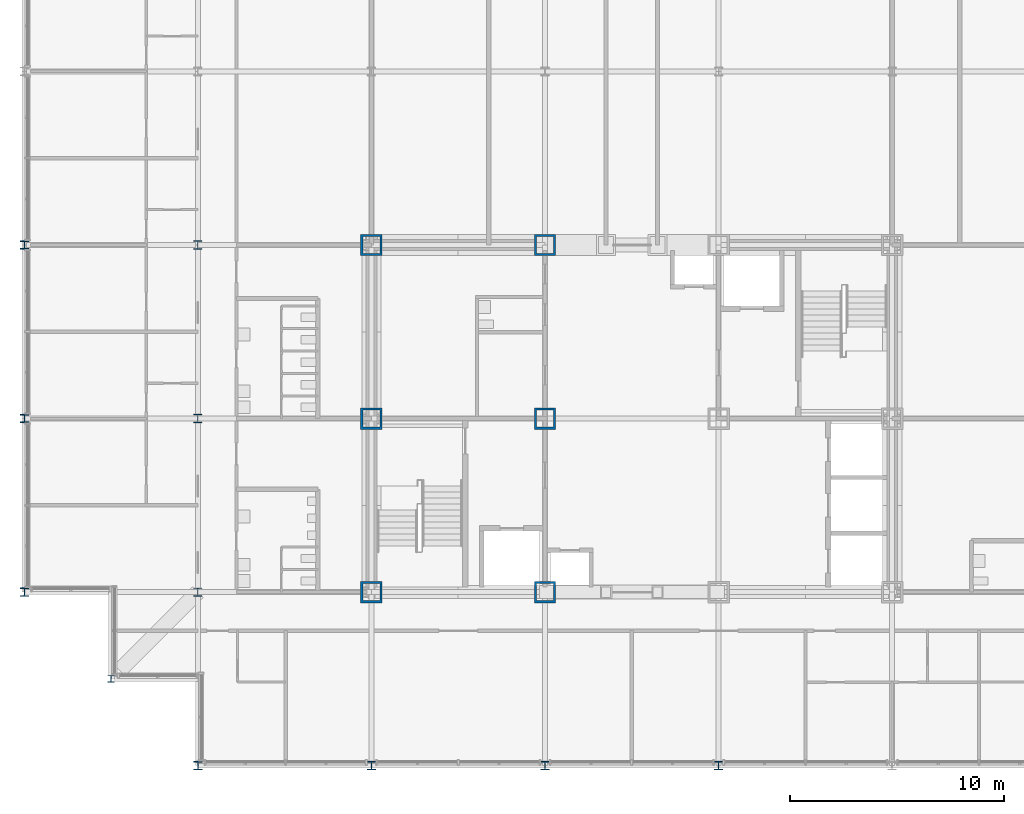
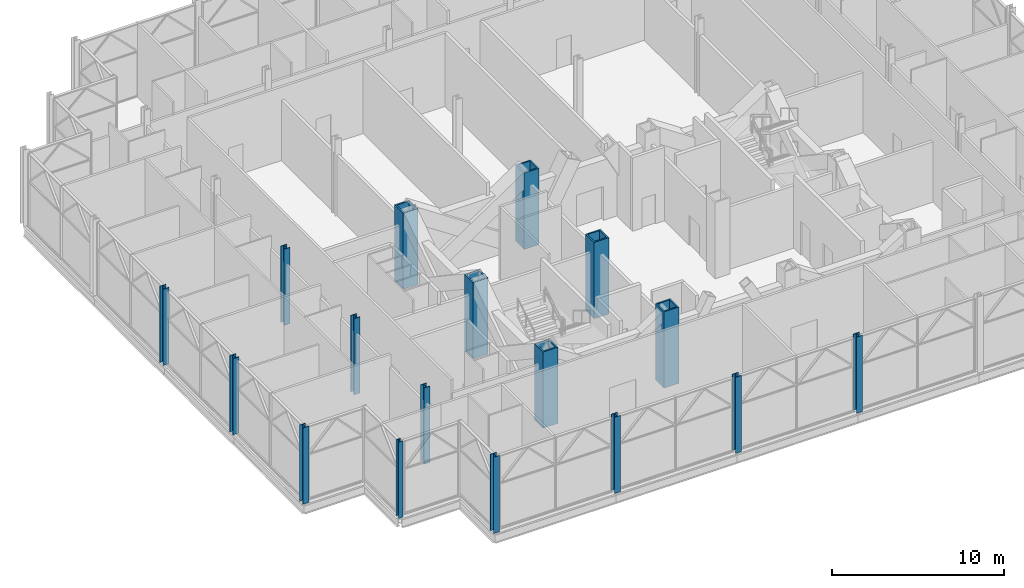
# One storey, part 1 of 26: 17 columns.
"""IFC4 building model written with IfcOpenShell, lengths in metres."""

from ifc_helpers import new_model, si_unit, direction, frame, origin, origin_2d, place, context, subcontext, project, spatial, hollow_rectangle, i_section, extrude, material, material_profile, profile_set, type_object, element, save


model = new_model("IFC4")

# Units and contexts
model_context = context("Model", 3, precision=1e-05, world=origin(), true_north=direction((0.0, 1.0)))
body_context = subcontext(model_context, "Body", "Model", "MODEL_VIEW")
ifc_project = project(units=[si_unit("LENGTHUNIT", "METRE"), si_unit("AREAUNIT", "SQUARE_METRE"), si_unit("VOLUMEUNIT", "CUBIC_METRE"), si_unit("PLANEANGLEUNIT", "RADIAN"), si_unit("MASSUNIT", "GRAM", prefix="KILO")], contexts=[model_context])

# Site, building, storey
site_placement = place(None, origin())
site = spatial("IfcSite", under=ifc_project, at=site_placement, CompositionType="ELEMENT")
building_placement = place(site_placement, origin())
building = spatial("IfcBuilding", under=site, at=building_placement, Name="Kopane Lantern Tower", CompositionType="ELEMENT")
storey_placement = place(building_placement, frame((0.0, 0.0, 293.10009765625)))
storey = spatial("IfcBuildingStorey", under=building, at=storey_placement, Name="L75", CompositionType="ELEMENT", Elevation=293.10009765625)

# Columns
ifc_material_1 = material(Name="Steel S355JR", Category="steel")
ifc_material_profile_1 = material_profile(ifc_material_1, hollow_rectangle(XDim=1.0, YDim=1.0, WallThickness=0.10009765625, at=origin_2d()), Name="BOX 1000x1000x100")
ifc_profile_set_1 = profile_set([ifc_material_profile_1], Name="Steel S355JR")
column_type_1 = type_object("IfcColumnType", Name="COLUMN BOX 1000x1000x100", PredefinedType="COLUMN", material=ifc_profile_set_1)
for number, where, z_axis, x_axis, name in (
    (1, (16.199951171875, 24.300048828125, 0.0), (0.0, 0.0, 1.0), (1.0, 0.0, 0.0), "Column 4/E L75"),
    (2, (16.199951171875, 32.39990234375, 0.0), (0.0, 0.0, 1.0), (1.0, 0.0, 0.0), "Column 4/F L75"),
    (3, (16.199951171875, 40.5, 0.0), (0.0, 0.0, 1.0), (1.0, 0.0, 0.0), "Column 4/G L75"),
    (4, (24.300048828125, 24.300048828125, 0.0), (0.0, 0.0, 1.0), (1.0, 0.0, 0.0), "Column 5/E L75"),
    (5, (24.300048828125, 32.39990234375, 0.0), (0.0, 0.0, 1.0), (1.0, 0.0, 0.0), "Column 5/F L75"),
    (6, (24.300048828125, 40.5, 0.0), (0.0, 0.0, 1.0), (1.0, 0.0, 0.0), "Column 5/G L75"),
):
    element("IfcColumn", number, at=place(storey_placement, frame(where, z_axis=z_axis, x_axis=x_axis)), inside=storey, type_object=column_type_1, Name=name, PredefinedType="COLUMN", context=body_context, shape_type="SweptSolid", body=[
        extrude(hollow_rectangle(XDim=1.0, YDim=1.0, WallThickness=0.10009765625, at=origin_2d()), origin(), (0.0, 0.0, 1.0), 5.39990234375),
    ])
ifc_material_2 = material(Name="Steel S355JR", Category="steel")
ifc_material_profile_2 = material_profile(ifc_material_2, i_section(OverallWidth=0.307373046875, OverallDepth=0.314453125, WebThickness=0.011962890625, FlangeThickness=0.018798828125, FilletRadius=0.01513671875, at=origin_2d()), Name="UC 305x305x118")
ifc_profile_set_2 = profile_set([ifc_material_profile_2], Name="Steel S355JR")
column_type_2 = type_object("IfcColumnType", Name="COLUMN UC 305x305x118", PredefinedType="COLUMN", material=ifc_profile_set_2)
column_placement = place(storey_placement, frame((4.050048828125, 20.25, 0.0), z_axis=(0.0, 0.0, 1.0), x_axis=(1.0, 0.0, 0.0)))
element("IfcColumn", 7, at=column_placement, inside=storey, type_object=column_type_2, Name="Column 4.05/20.25 L75", PredefinedType="COLUMN", context=body_context, shape_type="SweptSolid", body=[
    extrude(i_section(OverallWidth=0.307373046875, OverallDepth=0.314453125, WebThickness=0.011962890625, FlangeThickness=0.018798828125, FilletRadius=0.01513671875, at=origin_2d()), origin(), (0.0, 0.0, 1.0), 5.39990234375),
])
ifc_material_3 = material(Name="Steel S355JR", Category="steel")
ifc_material_profile_3 = material_profile(ifc_material_3, i_section(OverallWidth=0.39892578125, OverallDepth=0.3935546875, WebThickness=0.022705078125, FlangeThickness=0.03662109375, FilletRadius=0.01513671875, at=origin_2d()), Name="UC 356x406x287")
ifc_profile_set_3 = profile_set([ifc_material_profile_3], Name="Steel S355JR")
column_type_3 = type_object("IfcColumnType", Name="COLUMN UC 356x406x287", PredefinedType="COLUMN", material=ifc_profile_set_3)
for number, where, z_axis, x_axis, name in (
    (8, (0.0, 24.300048828125, 0.0), (0.0, 0.0, 1.0), (1.0, 0.0, 0.0), "Column 2/E L75"),
    (9, (0.0, 32.39990234375, 0.0), (0.0, 0.0, 1.0), (1.0, 0.0, 0.0), "Column 2/F L75"),
    (10, (0.0, 40.5, 0.0), (0.0, 0.0, 1.0), (1.0, 0.0, 0.0), "Column 2/G L75"),
    (11, (8.10009765625, 16.199951171875, 0.0), (0.0, 0.0, 1.0), (1.0, 0.0, 0.0), "Column 3/D L75"),
    (12, (16.199951171875, 16.199951171875, 0.0), (0.0, 0.0, 1.0), (1.0, 0.0, 0.0), "Column 4/D L75"),
    (13, (24.300048828125, 16.199951171875, 0.0), (0.0, 0.0, 1.0), (1.0, 0.0, 0.0), "Column 5/D L75"),
    (14, (32.39990234375, 16.199951171875, 0.0), (0.0, 0.0, 1.0), (1.0, 0.0, 0.0), "Column 6/D L75"),
):
    element("IfcColumn", number, at=place(storey_placement, frame(where, z_axis=z_axis, x_axis=x_axis)), inside=storey, type_object=column_type_3, Name=name, PredefinedType="COLUMN", context=body_context, shape_type="SweptSolid", body=[
        extrude(i_section(OverallWidth=0.39892578125, OverallDepth=0.3935546875, WebThickness=0.022705078125, FlangeThickness=0.03662109375, FilletRadius=0.01513671875, at=origin_2d()), origin(), (0.0, 0.0, 1.0), 5.39990234375),
    ])
ifc_material_4 = material(Name="Steel S355JR", Category="steel")
ifc_material_profile_4 = material_profile(ifc_material_4, i_section(OverallWidth=0.403076171875, OverallDepth=0.406494140625, WebThickness=0.026611328125, FlangeThickness=0.04296875, FilletRadius=0.01513671875, at=origin_2d()), Name="UC 356x406x340")
ifc_profile_set_4 = profile_set([ifc_material_profile_4], Name="Steel S355JR")
column_type_4 = type_object("IfcColumnType", Name="COLUMN UC 356x406x340", PredefinedType="COLUMN", material=ifc_profile_set_4)
for number, where, z_axis, x_axis, name in (
    (15, (8.10009765625, 24.300048828125, 0.0), (0.0, 0.0, 1.0), (1.0, 0.0, 0.0), "Column 3/E L75"),
    (16, (8.10009765625, 32.39990234375, 0.0), (0.0, 0.0, 1.0), (1.0, 0.0, 0.0), "Column 3/F L75"),
    (17, (8.10009765625, 40.5, 0.0), (0.0, 0.0, 1.0), (1.0, 0.0, 0.0), "Column 3/G L75"),
):
    element("IfcColumn", number, at=place(storey_placement, frame(where, z_axis=z_axis, x_axis=x_axis)), inside=storey, type_object=column_type_4, Name=name, PredefinedType="COLUMN", context=body_context, shape_type="SweptSolid", body=[
        extrude(i_section(OverallWidth=0.403076171875, OverallDepth=0.406494140625, WebThickness=0.026611328125, FlangeThickness=0.04296875, FilletRadius=0.01513671875, at=origin_2d()), origin(), (0.0, 0.0, 1.0), 5.39990234375),
    ])

save(model, "model.ifc")
